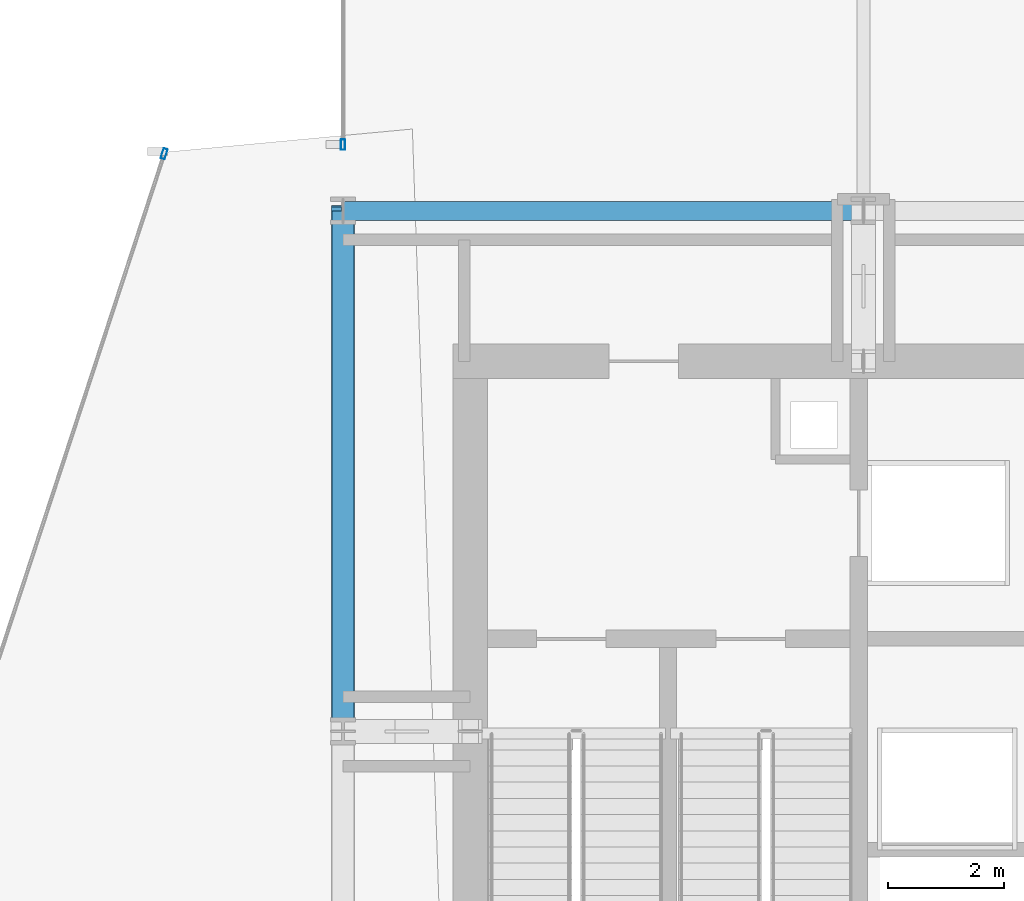
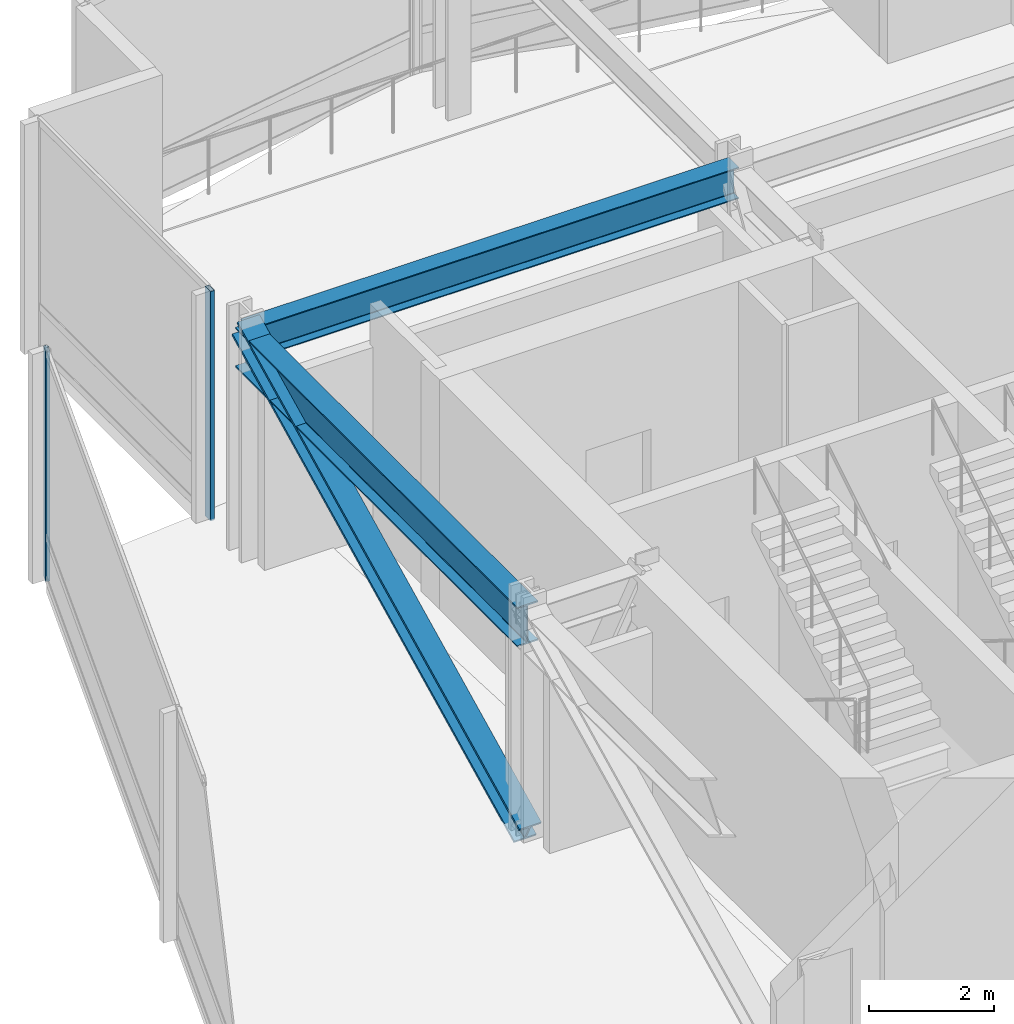
# One storey, part 21 of 42: 3 members, 2 beams, 2 elements without a shape of their own.
"""IFC4 building model written with IfcOpenShell, lengths in metres."""

from ifc_helpers import new_model, si_unit, direction, frame, origin, origin_2d, place, context, subcontext, project, spatial, hollow_rectangle, i_section, extrude, material, layer, layer_set, material_profile, profile_set, type_object, element, aggregate, save


model = new_model("IFC4")

# Units and contexts
model_context = context("Model", 3, precision=1e-05, world=origin(), true_north=direction((0.0, 1.0)))
body_context = subcontext(model_context, "Body", "Model", "MODEL_VIEW")
ifc_project = project(units=[si_unit("LENGTHUNIT", "METRE"), si_unit("AREAUNIT", "SQUARE_METRE"), si_unit("VOLUMEUNIT", "CUBIC_METRE"), si_unit("PLANEANGLEUNIT", "RADIAN"), si_unit("MASSUNIT", "GRAM", prefix="KILO")], contexts=[model_context])

# Site, building, storey
site_placement = place(None, origin())
site = spatial("IfcSite", under=ifc_project, at=site_placement, CompositionType="ELEMENT")
building_placement = place(site_placement, origin())
building = spatial("IfcBuilding", under=site, at=building_placement, Name="Solvaryn Broadcast Tower", CompositionType="ELEMENT")
storey_placement = place(building_placement, frame((0.0, 0.0, 100.199951171875)))
storey = spatial("IfcBuildingStorey", under=building, at=storey_placement, Name="L24", CompositionType="ELEMENT", Elevation=100.199951171875)

# Beams
ifc_material_1 = material(Name="Steel ASTM A992 Grade 50", Category="steel")
ifc_material_profile_1 = material_profile(ifc_material_1, i_section(OverallWidth=0.323974609375, OverallDepth=0.611083984375, WebThickness=0.0126953125, FlangeThickness=0.01904296875, FilletRadius=0.014892578125, at=origin_2d()))
ifc_profile_set_1 = profile_set([ifc_material_profile_1], Name="Steel ASTM A992 Grade 50")
beam_type_1 = type_object("IfcBeamType", Name="BM-B1-W24X104", PredefinedType="BEAM", material=ifc_profile_set_1)
beam_1_placement = place(storey_placement, frame((9.0, 45.0, 4.16455078125), z_axis=(1.0, 0.0, 0.0), x_axis=(0.0, 1.0, 0.0)))
element("IfcBeam", 1, at=beam_1_placement, inside=storey, type_object=beam_type_1, Name="L24 Primary Beam X (9-18 @ Y=45)", PredefinedType="BEAM", context=body_context, shape_type="SweptSolid", body=[
    extrude(i_section(OverallWidth=0.323974609375, OverallDepth=0.611083984375, WebThickness=0.0126953125, FlangeThickness=0.01904296875, FilletRadius=0.014892578125, at=origin_2d()), origin(), (0.0, 0.0, 1.0), 9.0),
])
ifc_material_2 = material(Name="Steel ASTM A992 Grade 50", Category="steel")
ifc_material_profile_2 = material_profile(ifc_material_2, i_section(OverallWidth=0.381103515625, OverallDepth=0.77294921875, WebThickness=0.0166015625, FlangeThickness=0.027099609375, FilletRadius=0.01806640625, at=origin_2d()))
ifc_profile_set_2 = profile_set([ifc_material_profile_2], Name="Steel ASTM A992 Grade 50")
beam_type_2 = type_object("IfcBeamType", Name="BM-SP1-W30X173", PredefinedType="USERDEFINED", material=ifc_profile_set_2)
beam_2_placement = place(storey_placement, frame((9.0, 36.0, 4.08349609375), z_axis=(0.0, 1.0, 0.0), x_axis=(-1.0, 0.0, 0.0)))
element("IfcBeam", 2, at=beam_2_placement, inside=storey, type_object=beam_type_2, Name="L24 Spandrel Beam Y (36-45 @ X=9)", ObjectType="SPANDREL", PredefinedType="USERDEFINED", context=body_context, shape_type="SweptSolid", body=[
    extrude(i_section(OverallWidth=0.381103515625, OverallDepth=0.77294921875, WebThickness=0.0166015625, FlangeThickness=0.027099609375, FilletRadius=0.01806640625, at=origin_2d()), origin(), (0.0, 0.0, 1.0), 9.0),
])

# Curtain wall, member
ifc_material_3 = material(Name="Aluminium and Terracotta Unitised Curtain Wall", Category="masonry")
ifc_layer = layer(ifc_material_3, 0.199951171875)
ifc_layer_set = layer_set([ifc_layer], Name="CW-SYS2-LOWMID")
curtain_wall_type = type_object("IfcCurtainWallType", Name="CW-SYS2-LOWMID", PredefinedType="NOTDEFINED", material=ifc_layer_set)
curtain_wall_1_placement = place(storey_placement, origin())
curtain_wall_1 = element("IfcCurtainWall", 3, at=curtain_wall_1_placement, inside=storey, type_object=curtain_wall_type, Name="L24 Curtain Wall DR1", PredefinedType="NOTDEFINED")
ifc_material_4 = material(Name="Anodised Aluminium 6063-T6", Category="aluminium")
ifc_material_profile_3 = material_profile(ifc_material_4, hollow_rectangle(XDim=0.074951171875, YDim=0.179931640625, WallThickness=0.00390625, InnerFilletRadius=0.00390625, OuterFilletRadius=0.008056640625, at=origin_2d()))
ifc_profile_set_3 = profile_set([ifc_material_profile_3], Name="Anodised Aluminium 6063-T6")
member_type_1 = type_object("IfcMemberType", Name="CW-MUL-180", PredefinedType="MULLION", material=ifc_profile_set_3)
member_1_placement = place(storey_placement, frame((5.90673828125, 45.987548828125, 0.0), z_axis=(0.0, 0.0, 1.0), x_axis=(0.950215318429, -0.311594044587, 0.0)))
member_1 = element("IfcMember", 4, at=member_1_placement, type_object=member_type_1, Name="CWS2 mullion 1", PredefinedType="MULLION", context=body_context, shape_type="SweptSolid", body=[
    extrude(hollow_rectangle(XDim=0.074951171875, YDim=0.179931640625, WallThickness=0.00390625, InnerFilletRadius=0.00390625, OuterFilletRadius=0.008056640625, at=origin_2d()), origin(), (0.0, 0.0, 1.0), 4.469970703125),
])
aggregate(curtain_wall_1, [member_1])

curtain_wall_2_placement = place(storey_placement, origin())
curtain_wall_2 = element("IfcCurtainWall", 5, at=curtain_wall_2_placement, inside=storey, type_object=curtain_wall_type, Name="L24 Curtain Wall W2", PredefinedType="NOTDEFINED")
member_2_placement = place(storey_placement, frame((9.0, 46.14599609375, 0.0), z_axis=(0.0, 0.0, 1.0), x_axis=(-1.0, 0.0, 0.0)))
member_2 = element("IfcMember", 6, at=member_2_placement, type_object=member_type_1, Name="CWS2 mullion 1", PredefinedType="MULLION", context=body_context, shape_type="SweptSolid", body=[
    extrude(hollow_rectangle(XDim=0.074951171875, YDim=0.179931640625, WallThickness=0.00390625, InnerFilletRadius=0.00390625, OuterFilletRadius=0.008056640625, at=origin_2d()), origin(), (0.0, 0.0, 1.0), 4.469970703125),
])
aggregate(curtain_wall_2, [member_2])

# Member
ifc_material_5 = material(Name="Steel ASTM A913 Grade 65", Category="steel")
ifc_material_profile_4 = material_profile(ifc_material_5, i_section(OverallWidth=0.406005859375, OverallDepth=0.416015625, WebThickness=0.02978515625, FlangeThickness=0.048095703125, FilletRadius=0.014892578125, at=origin_2d()))
ifc_profile_set_4 = profile_set([ifc_material_profile_4], Name="Steel ASTM A913 Grade 65")
member_type_2 = type_object("IfcMemberType", Name="MB-BELT-1", PredefinedType="BRACE", material=ifc_profile_set_4)
member_3_placement = place(storey_placement, frame((9.0, 36.0, 0.02001953125), z_axis=(0.0, 0.897203761247, 0.441616814449), x_axis=(-1.0, 0.0, 0.0)))
element("IfcMember", 7, at=member_3_placement, inside=storey, type_object=member_type_2, Name="L24 West Belt Diagonal 5", PredefinedType="BRACE", context=body_context, shape_type="SweptSolid", body=[
    extrude(i_section(OverallWidth=0.406005859375, OverallDepth=0.416015625, WebThickness=0.02978515625, FlangeThickness=0.048095703125, FilletRadius=0.014892578125, at=origin_2d()), origin(), (0.0, 0.0, 1.0), 10.03125),
])

save(model, "model.ifc")
